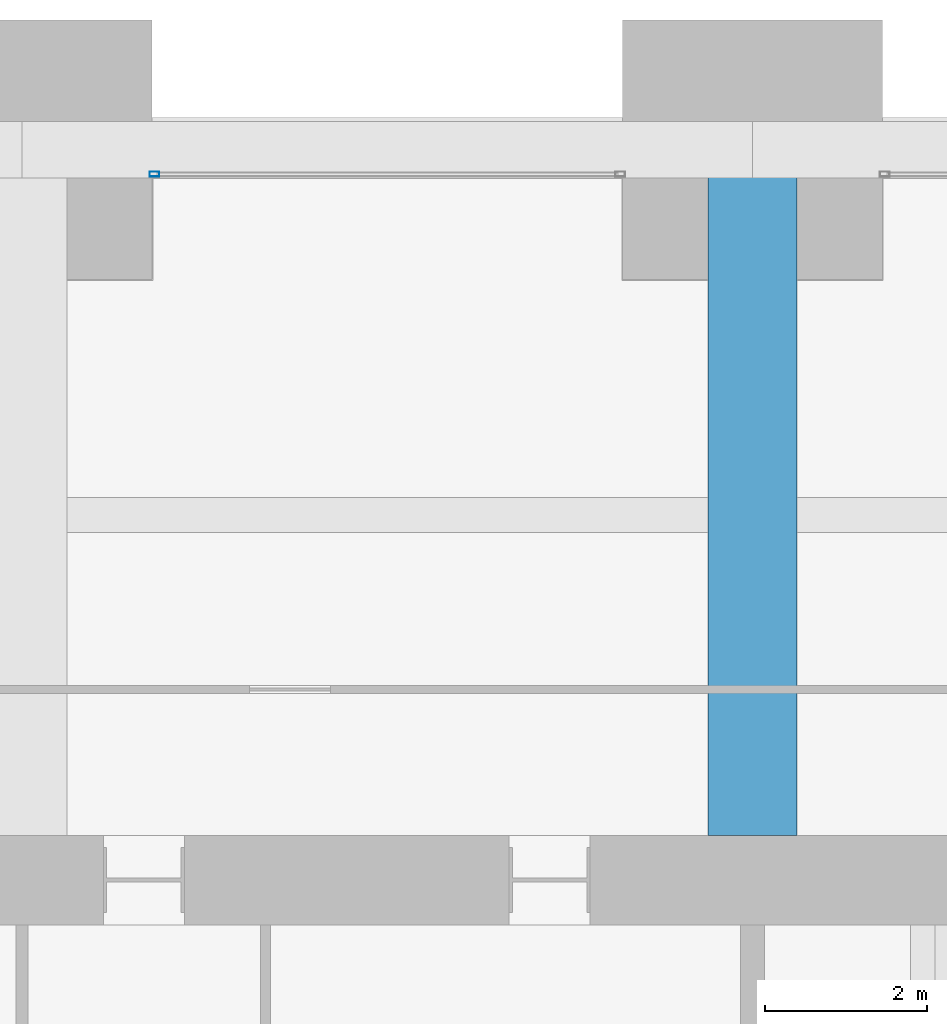
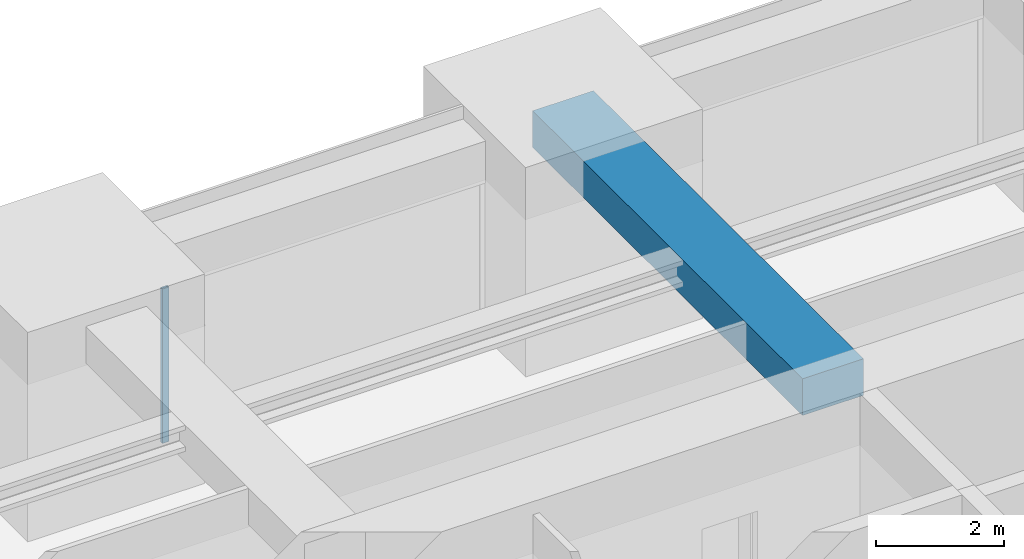
# One storey, part 28 of 40: 1 beam, 1 member, 1 element without a shape of its own.
"""IFC4 building model written with IfcOpenShell, lengths in metres."""

from ifc_helpers import new_model, si_unit, direction, frame, origin, origin_2d, place, context, subcontext, project, spatial, rectangle, hollow_rectangle, extrude, material, material_profile, profile_set, type_object, element, aggregate, save


model = new_model("IFC4")

# Units and contexts
model_context = context("Model", 3, precision=1e-05, world=origin(), true_north=direction((0.0, 1.0)))
body_context = subcontext(model_context, "Body", "Model", "MODEL_VIEW")
ifc_project = project(units=[si_unit("LENGTHUNIT", "METRE"), si_unit("AREAUNIT", "SQUARE_METRE"), si_unit("VOLUMEUNIT", "CUBIC_METRE"), si_unit("PLANEANGLEUNIT", "RADIAN"), si_unit("MASSUNIT", "GRAM", prefix="KILO")], contexts=[model_context])

# Site, building, storey
site_placement = place(None, origin())
site = spatial("IfcSite", under=ifc_project, at=site_placement, CompositionType="ELEMENT")
building_placement = place(site_placement, origin())
building = spatial("IfcBuilding", under=site, at=building_placement, Name="Zorevar Civic Tower", CompositionType="ELEMENT")
storey_placement = place(building_placement, frame((0.0, 0.0, 239.39990234375)))
storey = spatial("IfcBuildingStorey", under=building, at=storey_placement, Name="L58", CompositionType="ELEMENT", Elevation=239.39990234375)

# Beam
ifc_material_1 = material(Name="Concrete C50/60", Category="concrete")
ifc_material_profile_1 = material_profile(ifc_material_1, rectangle(XDim=1.10009765625, YDim=0.699951171875, at=origin_2d()), Name="RC 1100x700")
ifc_profile_set_1 = profile_set([ifc_material_profile_1], Name="Concrete C50/60")
beam_type = type_object("IfcBeamType", Name="Beam RC 1100x700", PredefinedType="BEAM", material=ifc_profile_set_1)
beam_placement = place(storey_placement, frame((36.0, 36.550048828125, 3.400146484375), z_axis=(0.0, 1.0, 0.0), x_axis=(-1.0, 0.0, 0.0)))
element("IfcBeam", 1, at=beam_placement, inside=storey, type_object=beam_type, Name="Girder L59", PredefinedType="BEAM", context=body_context, shape_type="SweptSolid", body=[
    extrude(rectangle(XDim=1.10009765625, YDim=0.699951171875, at=origin_2d()), origin(), (0.0, 0.0, 1.0), 8.449951171875),
])

# Curtain wall, member
ifc_material_2 = material(Name="Dark grey solar-control glass in black aluminium frame", Category="aluminium")
curtain_wall_type = type_object("IfcCurtainWallType", Name="Curtain wall CW5 top zone", PredefinedType="NOTDEFINED", material=ifc_material_2)
curtain_wall_placement = place(storey_placement, origin())
curtain_wall = element("IfcCurtainWall", 2, at=curtain_wall_placement, inside=storey, type_object=curtain_wall_type, Name="CW5 L58", PredefinedType="NOTDEFINED")
ifc_material_3 = material(Name="Aluminium, black anodised", Category="aluminium")
ifc_material_profile_2 = material_profile(ifc_material_3, hollow_rectangle(XDim=0.06005859375, YDim=0.1201171875, WallThickness=0.0029296875, at=origin_2d()), Name="AL 120x60x3")
ifc_profile_set_2 = profile_set([ifc_material_profile_2], Name="Aluminium, black anodised")
member_type = type_object("IfcMemberType", Name="CW5 mullion AL 120x60x3", PredefinedType="MULLION", material=ifc_profile_set_2)
member_placement = place(storey_placement, frame((28.6298828125, 44.699951171875, 0.0), z_axis=(0.0, 0.0, 1.0), x_axis=(0.0, 1.0, 0.0)))
member = element("IfcMember", 3, at=member_placement, type_object=member_type, Name="CW5 mullion 1", PredefinedType="MULLION", context=body_context, shape_type="SweptSolid", body=[
    extrude(hollow_rectangle(XDim=0.06005859375, YDim=0.1201171875, WallThickness=0.0029296875, at=origin_2d()), origin(), (0.0, 0.0, 1.0), 2.9501953125),
])
aggregate(curtain_wall, [member])

save(model, "model.ifc")
